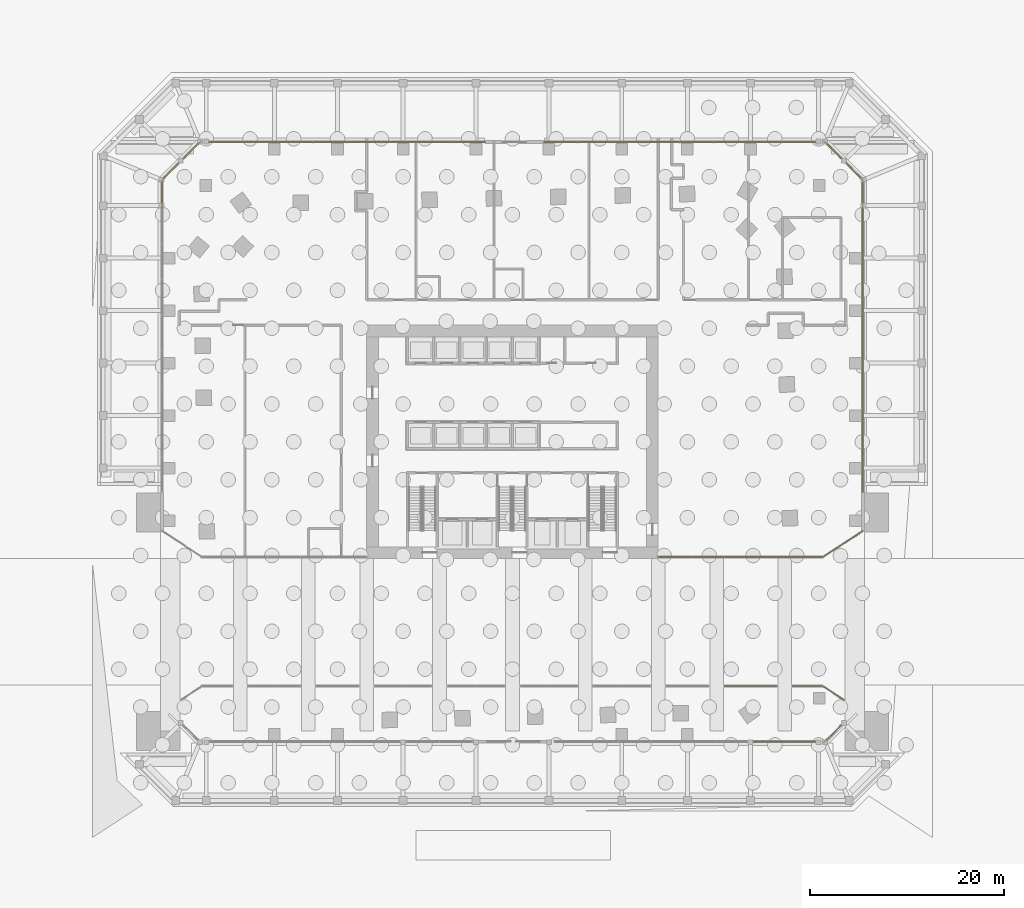
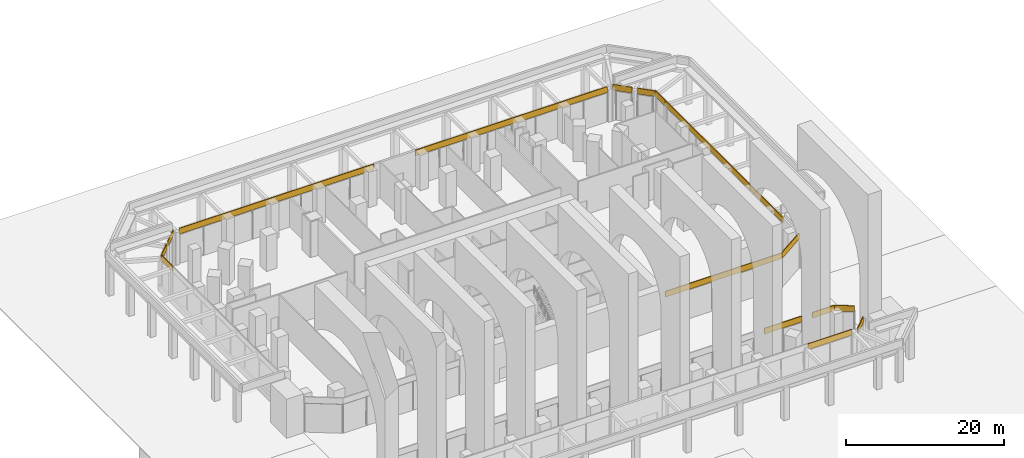
# One storey, part 45 of 46: 16 coverings.
"""IFC4 building model written with IfcOpenShell, lengths in metres."""

from ifc_helpers import new_model, si_unit, direction, frame, frame_2d, origin, place, context, subcontext, project, spatial, rectangle, extrude, material, layer, layer_set, type_object, element, save


model = new_model("IFC4")

# Units and contexts
model_context = context("Model", 3, precision=1e-05, world=origin(), true_north=direction((0.0, 1.0)))
body_context = subcontext(model_context, "Body", "Model", "MODEL_VIEW")
ifc_project = project(units=[si_unit("LENGTHUNIT", "METRE"), si_unit("AREAUNIT", "SQUARE_METRE"), si_unit("VOLUMEUNIT", "CUBIC_METRE"), si_unit("PLANEANGLEUNIT", "RADIAN"), si_unit("MASSUNIT", "GRAM", prefix="KILO")], contexts=[model_context])

# Site, building, storey
site_placement = place(None, origin())
site = spatial("IfcSite", under=ifc_project, at=site_placement, CompositionType="ELEMENT")
building_placement = place(site_placement, origin())
building = spatial("IfcBuilding", under=site, at=building_placement, Name="Mangrove Gate Tower", CompositionType="ELEMENT")
storey_placement = place(building_placement, origin())
storey = spatial("IfcBuildingStorey", under=building, at=storey_placement, Name="L00", CompositionType="ELEMENT", Elevation=0.0)

# Coverings
ifc_material_1 = material(Name="Limestone", Category="masonry")
ifc_layer_1 = layer(ifc_material_1, 0.0400390625, Name="Limestone cladding")
ifc_material_2 = material(Name="Stainless steel anchors and cavity", Category="steel")
ifc_layer_2 = layer(ifc_material_2, 0.080078125, Name="Fixing cavity")
ifc_layer_set = layer_set([ifc_layer_1, ifc_layer_2], Name="Joint fascia cladding 120")
covering_type = type_object("IfcCoveringType", Name="Joint fascia cladding 120", PredefinedType="CLADDING", material=ifc_layer_set)
covering_1_placement = place(storey_placement, frame((34.1201171875, -26.56689453125, 4.570068359375), z_axis=(0.0, 0.0, 1.0), x_axis=(-0.836723526853, 0.547625546894, 0.0)))
element("IfcCovering", 1, at=covering_1_placement, inside=storey, type_object=covering_type, Name="STONE FASCIA L00 N0 band 1", PredefinedType="CLADDING", context=body_context, shape_type="SweptSolid", body=[
    extrude(rectangle(XDim=2.58740234375, YDim=0.1201171875, at=frame_2d((1.293701171875, 0.0))), origin(), (0.0, 0.0, 1.0), 0.8798828125),
])
covering_2_placement = place(storey_placement, frame((31.955078125, -25.14990234375, 4.570068359375), z_axis=(0.0, 0.0, 1.0), x_axis=(-1.0, 0.0, 0.0)))
element("IfcCovering", 2, at=covering_2_placement, inside=storey, type_object=covering_type, Name="STONE FASCIA L00 N1 band 1", PredefinedType="CLADDING", context=body_context, shape_type="SweptSolid", body=[
    extrude(rectangle(XDim=3.175048828125, YDim=0.1201171875, at=frame_2d((1.58740234375, 0.0))), origin(), (0.0, 0.0, 1.0), 0.8798828125),
])
covering_3_placement = place(storey_placement, frame((27.219970703125, -25.14990234375, 4.570068359375), z_axis=(0.0, 0.0, 1.0), x_axis=(-1.0, 0.0, 0.0)))
element("IfcCovering", 3, at=covering_3_placement, inside=storey, type_object=covering_type, Name="STONE FASCIA L00 N4011 band 1", PredefinedType="CLADDING", context=body_context, shape_type="SweptSolid", body=[
    extrude(rectangle(XDim=5.43994140625, YDim=0.1201171875, at=frame_2d((2.719970703125, 0.0))), origin(), (0.0, 0.0, 1.0), 0.8798828125),
])
covering_4_placement = place(storey_placement, frame((24.780029296875, -30.85009765625, 4.570068359375), z_axis=(0.0, 0.0, 1.0), x_axis=(1.0, 0.0, 0.0)))
element("IfcCovering", 4, at=covering_4_placement, inside=storey, type_object=covering_type, Name="STONE FASCIA L00 S4 band 4", PredefinedType="CLADDING", context=body_context, shape_type="SweptSolid", body=[
    extrude(rectangle(XDim=6.43994140625, YDim=0.1201171875, at=frame_2d((3.219970703125, 0.0))), origin(), (0.0, 0.0, 1.0), 0.8798828125),
])
covering_5_placement = place(storey_placement, frame((32.0283203125, -30.959716796875, 4.570068359375), z_axis=(0.0, 0.0, 1.0), x_axis=(0.707106781187, 0.707106781187, 0.0)))
element("IfcCovering", 5, at=covering_5_placement, inside=storey, type_object=covering_type, Name="STONE FASCIA L00 E5 band 1", PredefinedType="CLADDING", context=body_context, shape_type="SweptSolid", body=[
    extrude(rectangle(XDim=2.574951171875, YDim=0.1201171875, at=frame_2d((1.28759765625, 0.0))), origin(), (0.0, 0.0, 1.0), 0.8798828125),
])
covering_6_placement = place(storey_placement, frame((15.0, -11.85009765625, 4.570068359375), z_axis=(0.0, 0.0, 1.0), x_axis=(1.0, 0.0, 0.0)))
element("IfcCovering", 6, at=covering_6_placement, inside=storey, type_object=covering_type, Name="STONE FASCIA L00 S8 band 1", PredefinedType="CLADDING", context=body_context, shape_type="SweptSolid", body=[
    extrude(rectangle(XDim=17.0, YDim=0.1201171875, at=frame_2d((8.5, 0.0))), origin(), (0.0, 0.0, 1.0), 0.8798828125),
])
covering_7_placement = place(storey_placement, frame((31.955078125, -11.85009765625, 4.570068359375), z_axis=(0.0, 0.0, 1.0), x_axis=(0.836625876117, 0.54777471958, 0.0)))
element("IfcCovering", 7, at=covering_7_placement, inside=storey, type_object=covering_type, Name="STONE FASCIA L00 S9 band 1", PredefinedType="CLADDING", context=body_context, shape_type="SweptSolid", body=[
    extrude(rectangle(XDim=4.89453125, YDim=0.1201171875, at=frame_2d((2.447265625, 0.0))), origin(), (0.0, 0.0, 1.0), 0.8798828125),
])
covering_8_placement = place(storey_placement, frame((36.050048828125, -5.18505859375, 4.570068359375), z_axis=(0.0, 0.0, 1.0), x_axis=(0.0, 1.0, 0.0)))
element("IfcCovering", 8, at=covering_8_placement, inside=storey, type_object=covering_type, Name="STONE FASCIA L00 E10 band 1", PredefinedType="CLADDING", context=body_context, shape_type="SweptSolid", body=[
    extrude(rectangle(XDim=29.76513671875, YDim=0.1201171875, at=frame_2d((14.882568359375, 0.0))), origin(), (0.0, 0.0, 1.0), 0.8798828125),
])
covering_9_placement = place(storey_placement, frame((36.050048828125, 24.580078125, 4.570068359375), z_axis=(0.0, 0.0, 1.0), x_axis=(0.0, 1.0, 0.0)))
element("IfcCovering", 9, at=covering_9_placement, inside=storey, type_object=covering_type, Name="STONE FASCIA L00 E10 band 2", PredefinedType="CLADDING", context=body_context, shape_type="SweptSolid", body=[
    extrude(rectangle(XDim=2.512939453125, YDim=0.1201171875, at=frame_2d((1.25634765625, 0.0))), origin(), (0.0, 0.0, 1.0), 0.8798828125),
])
covering_10_placement = place(storey_placement, frame((35.94970703125, 27.038330078125, 4.570068359375), z_axis=(0.0, 0.0, 1.0), x_axis=(-0.707106781187, 0.707106781187, 0.0)))
element("IfcCovering", 10, at=covering_10_placement, inside=storey, type_object=covering_type, Name="STONE FASCIA L00 E11 band 1", PredefinedType="CLADDING", context=body_context, shape_type="SweptSolid", body=[
    extrude(rectangle(XDim=2.27783203125, YDim=0.1201171875, at=frame_2d((1.138916015625, 0.0))), origin(), (0.0, 0.0, 1.0), 0.8798828125),
])
covering_11_placement = place(storey_placement, frame((33.84912109375, 29.138916015625, 4.570068359375), z_axis=(0.0, 0.0, 1.0), x_axis=(-0.707106781187, 0.707106781187, 0.0)))
element("IfcCovering", 11, at=covering_11_placement, inside=storey, type_object=covering_type, Name="STONE FASCIA L00 E11 band 2", PredefinedType="CLADDING", context=body_context, shape_type="SweptSolid", body=[
    extrude(rectangle(XDim=2.574951171875, YDim=0.1201171875, at=frame_2d((1.28759765625, 0.0))), origin(), (0.0, 0.0, 1.0), 0.8798828125),
])
covering_12_placement = place(storey_placement, frame((31.219970703125, 30.85009765625, 4.570068359375), z_axis=(0.0, 0.0, 1.0), x_axis=(-1.0, 0.0, 0.0)))
element("IfcCovering", 12, at=covering_12_placement, inside=storey, type_object=covering_type, Name="STONE FASCIA L00 N12 band 1", PredefinedType="CLADDING", context=body_context, shape_type="SweptSolid", body=[
    extrude(rectangle(XDim=28.02001953125, YDim=0.1201171875, at=frame_2d((14.010009765625, 0.0))), origin(), (0.0, 0.0, 1.0), 0.8798828125),
])
covering_13_placement = place(storey_placement, frame((-2.800048828125, 30.85009765625, 4.570068359375), z_axis=(0.0, 0.0, 1.0), x_axis=(-1.0, 0.0, 0.0)))
element("IfcCovering", 13, at=covering_13_placement, inside=storey, type_object=covering_type, Name="STONE FASCIA L00 N12 band 2", PredefinedType="CLADDING", context=body_context, shape_type="SweptSolid", body=[
    extrude(rectangle(XDim=28.419921875, YDim=0.1201171875, at=frame_2d((14.2099609375, 0.0))), origin(), (0.0, 0.0, 1.0), 0.8798828125),
])
covering_14_placement = place(storey_placement, frame((-32.0283203125, 30.959716796875, 4.570068359375), z_axis=(0.0, 0.0, 1.0), x_axis=(-0.707106781187, -0.707106781187, 0.0)))
element("IfcCovering", 14, at=covering_14_placement, inside=storey, type_object=covering_type, Name="STONE FASCIA L00 N13 band 1", PredefinedType="CLADDING", context=body_context, shape_type="SweptSolid", body=[
    extrude(rectangle(XDim=2.574951171875, YDim=0.1201171875, at=frame_2d((1.28759765625, 0.0))), origin(), (0.0, 0.0, 1.0), 0.8798828125),
])
covering_15_placement = place(storey_placement, frame((-34.339111328125, 28.64892578125, 4.570068359375), z_axis=(0.0, 0.0, 1.0), x_axis=(-0.707106781187, -0.707106781187, 0.0)))
element("IfcCovering", 15, at=covering_15_placement, inside=storey, type_object=covering_type, Name="STONE FASCIA L00 N13 band 2", PredefinedType="CLADDING", context=body_context, shape_type="SweptSolid", body=[
    extrude(rectangle(XDim=2.57470703125, YDim=0.1201171875, at=frame_2d((1.287353515625, 0.0))), origin(), (0.0, 0.0, 1.0), 0.8798828125),
])
covering_16_placement = place(storey_placement, frame((-36.050048828125, 26.796142578125, 4.570068359375), z_axis=(0.0, 0.0, 1.0), x_axis=(0.0, -1.0, 0.0)))
element("IfcCovering", 16, at=covering_16_placement, inside=storey, type_object=covering_type, Name="STONE FASCIA L00 W14 band 1", PredefinedType="CLADDING", context=body_context, shape_type="SweptSolid", body=[
    extrude(rectangle(XDim=2.776123046875, YDim=0.1201171875, at=frame_2d((1.38818359375, 0.0))), origin(), (0.0, 0.0, 1.0), 0.8798828125),
])

save(model, "model.ifc")
